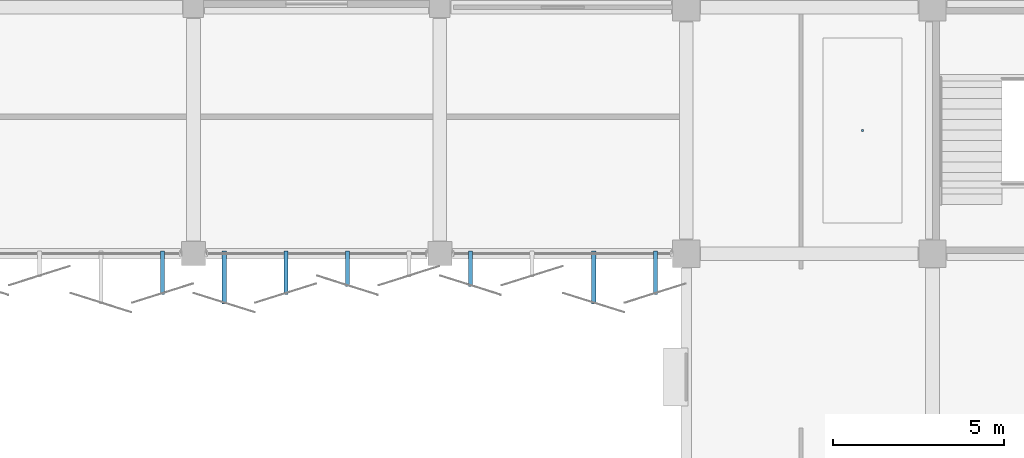
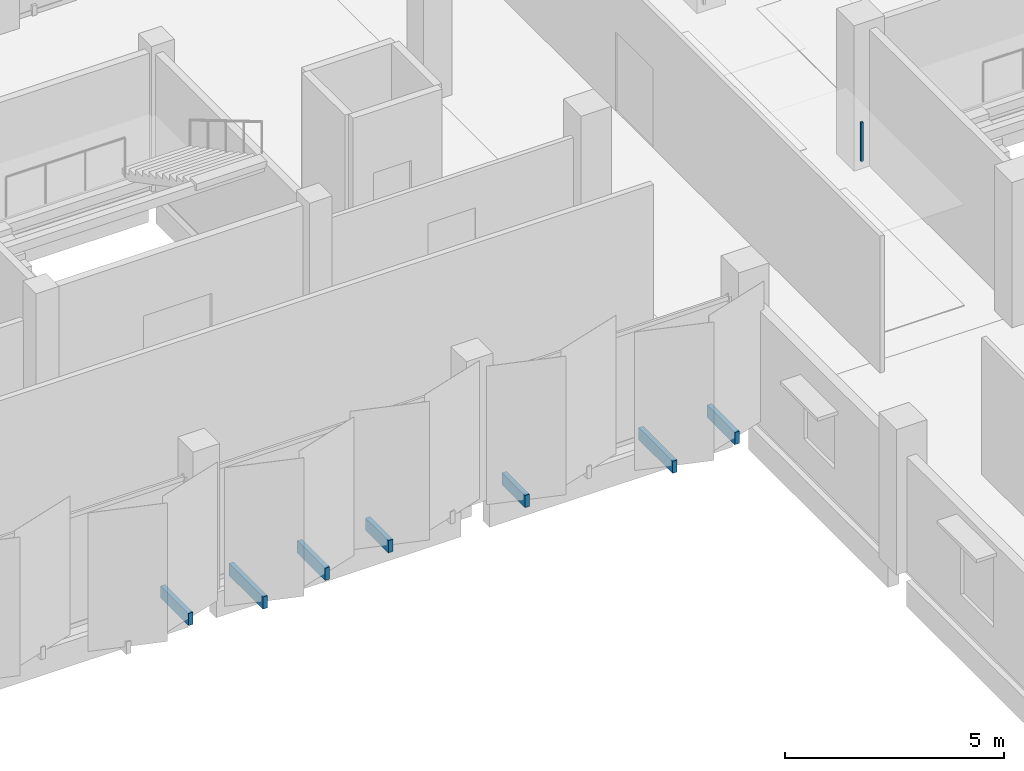
# One storey, part 101 of 107: 8 discrete accessories.
"""IFC4 building model written with IfcOpenShell, lengths in metres."""

from ifc_helpers import new_model, si_unit, direction, frame, origin, origin_2d, place, context, subcontext, project, spatial, rectangle, extrude, material, type_object, element, save


model = new_model("IFC4")

# Units and contexts
model_context = context("Model", 3, precision=1e-05, world=origin(), true_north=direction((0.0, 1.0)))
body_context = subcontext(model_context, "Body", "Model", "MODEL_VIEW")
ifc_project = project(units=[si_unit("LENGTHUNIT", "METRE"), si_unit("AREAUNIT", "SQUARE_METRE"), si_unit("VOLUMEUNIT", "CUBIC_METRE"), si_unit("PLANEANGLEUNIT", "RADIAN"), si_unit("MASSUNIT", "GRAM", prefix="KILO")], contexts=[model_context])

# Site, building, storey
site_placement = place(None, origin())
site = spatial("IfcSite", under=ifc_project, at=site_placement, CompositionType="ELEMENT")
building_placement = place(site_placement, origin())
building = spatial("IfcBuilding", under=site, at=building_placement, Name="Kangsadwip Square Police Headquarters", CompositionType="ELEMENT")
storey_placement = place(building_placement, frame((0.0, 0.0, 5.39990234375)))
storey = spatial("IfcBuildingStorey", under=building, at=storey_placement, Name="L01", CompositionType="ELEMENT", Elevation=5.39990234375)

# Discrete accessories
ifc_material = material(Name="Structural steel IS 2062 E350 (Grade 350, 350 MPa)", Category="steel")
discrete_accessory_type = type_object("IfcDiscreteAccessoryType", Name="VeilOutriggerBracket", PredefinedType="BRACKET", material=ifc_material)
discrete_accessory_1_placement = place(storey_placement, frame((128.699951171875, 93.042724609375, -0.06005859375), z_axis=(0.0, 0.0, 1.0), x_axis=(1.0, 0.0, 0.0)))
element("IfcDiscreteAccessory", 1, at=discrete_accessory_1_placement, inside=storey, type_object=discrete_accessory_type, Name="Veil Outrigger Bracket VBK-L01-0272", PredefinedType="BRACKET", context=body_context, shape_type="SweptSolid", body=[
    extrude(rectangle(XDim=0.1201171875, YDim=1.274658203125, at=origin_2d()), origin(), (0.0, 0.0, 1.0), 0.340087890625),
])
discrete_accessory_2_placement = place(storey_placement, frame((130.5, 92.902587890625, -0.06005859375), z_axis=(0.0, 0.0, 1.0), x_axis=(1.0, 0.0, 0.0)))
element("IfcDiscreteAccessory", 2, at=discrete_accessory_2_placement, inside=storey, type_object=discrete_accessory_type, Name="Veil Outrigger Bracket VBK-L01-0273", PredefinedType="BRACKET", context=body_context, shape_type="SweptSolid", body=[
    extrude(rectangle(XDim=0.1201171875, YDim=1.5546875, at=origin_2d()), origin(), (0.0, 0.0, 1.0), 0.340087890625),
])
discrete_accessory_3_placement = place(storey_placement, frame((132.300048828125, 93.042724609375, -0.06005859375), z_axis=(0.0, 0.0, 1.0), x_axis=(1.0, 0.0, 0.0)))
element("IfcDiscreteAccessory", 3, at=discrete_accessory_3_placement, inside=storey, type_object=discrete_accessory_type, Name="Veil Outrigger Bracket VBK-L01-0274", PredefinedType="BRACKET", context=body_context, shape_type="SweptSolid", body=[
    extrude(rectangle(XDim=0.1201171875, YDim=1.274658203125, at=origin_2d()), origin(), (0.0, 0.0, 1.0), 0.340087890625),
])
for number, where, z_axis, x_axis, name in (
    (4, (134.10009765625, 93.1572265625, -0.06005859375), (0.0, 0.0, 1.0), (1.0, 0.0, 0.0), "Veil Outrigger Bracket VBK-L01-0275"),
    (5, (137.699951171875, 93.1572265625, -0.06005859375), (0.0, 0.0, 1.0), (1.0, 0.0, 0.0), "Veil Outrigger Bracket VBK-L01-0277"),
):
    element("IfcDiscreteAccessory", number, at=place(storey_placement, frame(where, z_axis=z_axis, x_axis=x_axis)), inside=storey, type_object=discrete_accessory_type, Name=name, PredefinedType="BRACKET", context=body_context, shape_type="SweptSolid", body=[
        extrude(rectangle(XDim=0.1201171875, YDim=1.04541015625, at=origin_2d()), origin(), (0.0, 0.0, 1.0), 0.340087890625),
    ])
discrete_accessory_4_placement = place(storey_placement, frame((141.300048828125, 92.902587890625, -0.06005859375), z_axis=(0.0, 0.0, 1.0), x_axis=(1.0, 0.0, 0.0)))
element("IfcDiscreteAccessory", 6, at=discrete_accessory_4_placement, inside=storey, type_object=discrete_accessory_type, Name="Veil Outrigger Bracket VBK-L01-0279", PredefinedType="BRACKET", context=body_context, shape_type="SweptSolid", body=[
    extrude(rectangle(XDim=0.1201171875, YDim=1.5546875, at=origin_2d()), origin(), (0.0, 0.0, 1.0), 0.340087890625),
])
discrete_accessory_5_placement = place(storey_placement, frame((143.10009765625, 93.042724609375, -0.06005859375), z_axis=(0.0, 0.0, 1.0), x_axis=(1.0, 0.0, 0.0)))
element("IfcDiscreteAccessory", 7, at=discrete_accessory_5_placement, inside=storey, type_object=discrete_accessory_type, Name="Veil Outrigger Bracket VBK-L01-0280", PredefinedType="BRACKET", context=body_context, shape_type="SweptSolid", body=[
    extrude(rectangle(XDim=0.1201171875, YDim=1.274658203125, at=origin_2d()), origin(), (0.0, 0.0, 1.0), 0.340087890625),
])
discrete_accessory_6_placement = place(storey_placement, frame((149.14990234375, 97.199951171875, 2.81005859375), z_axis=(0.0, 0.0, 1.0), x_axis=(1.0, 0.0, 0.0)))
element("IfcDiscreteAccessory", 8, at=discrete_accessory_6_placement, inside=storey, type_object=discrete_accessory_type, Name="Ceiling Suspension Hanger L01-043", PredefinedType="BRACKET", context=body_context, shape_type="SweptSolid", body=[
    extrude(rectangle(XDim=0.06005859375, YDim=0.06005859375, at=origin_2d()), origin(), (0.0, 0.0, 1.0), 1.080078125),
])

save(model, "model.ifc")
